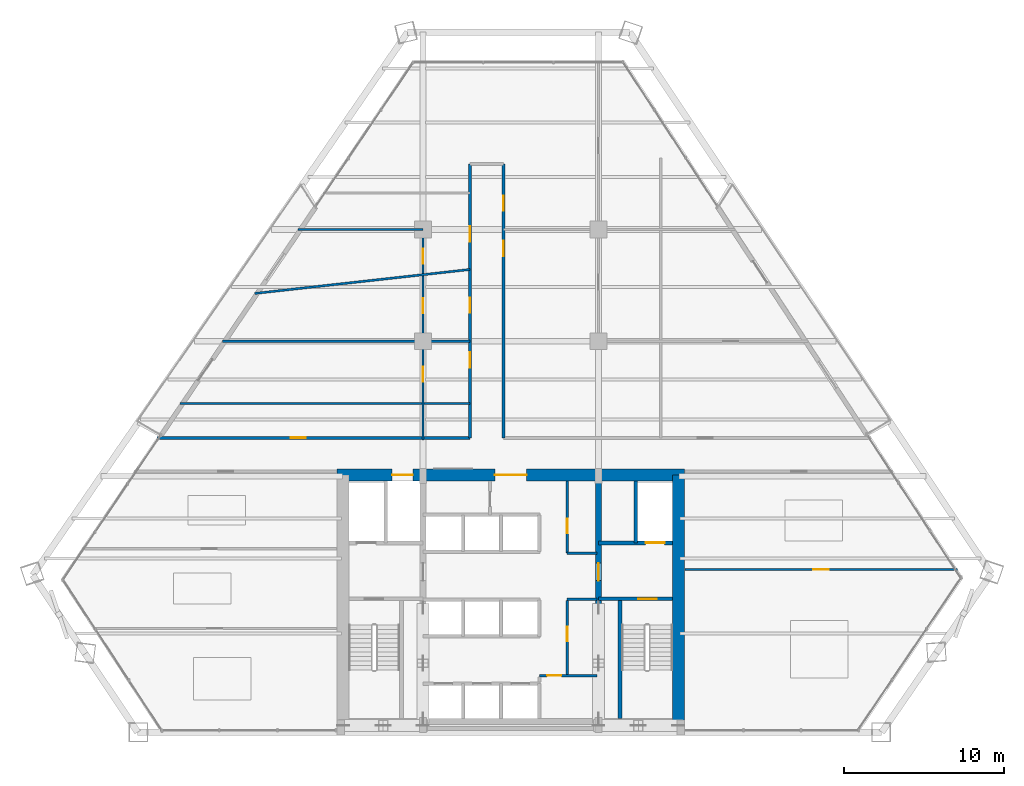
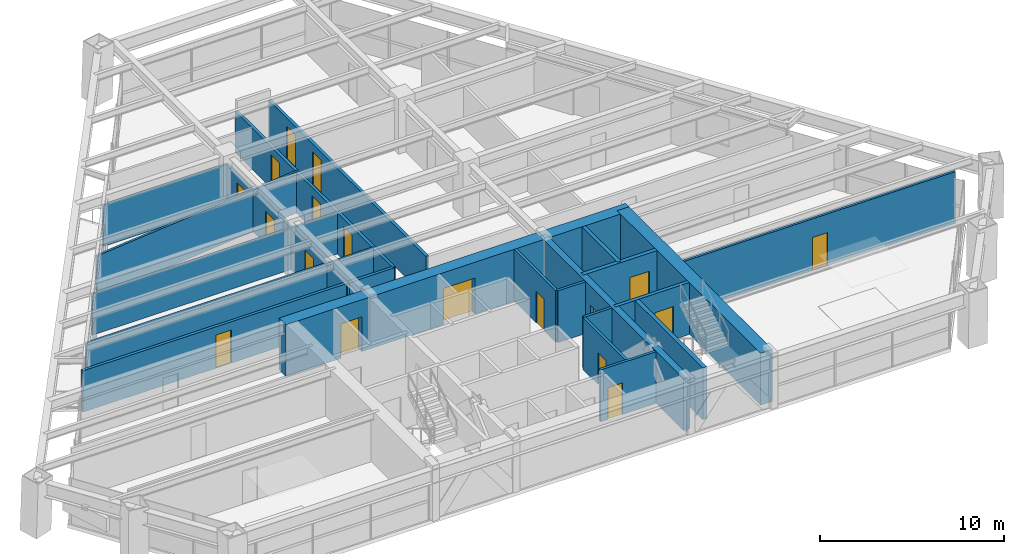
# One storey, part 11 of 14: 21 walls, 18 doors, 18 openings.
"""IFC4 building model written with IfcOpenShell, lengths in metres."""

from ifc_helpers import new_model, si_unit, direction, frame, frame_2d, origin, place, context, subcontext, project, spatial, rectangle, extrude, source, transform, mapped, material, layer, layer_set, type_object, type_shapes, element, fill, save


model = new_model("IFC4")

# Units and contexts
model_context = context("Model", 3, precision=1e-05, world=origin(), true_north=direction((0.0, 1.0)))
body_context = subcontext(model_context, "Body", "Model", "MODEL_VIEW")
ifc_project = project(units=[si_unit("LENGTHUNIT", "METRE"), si_unit("AREAUNIT", "SQUARE_METRE"), si_unit("VOLUMEUNIT", "CUBIC_METRE"), si_unit("PLANEANGLEUNIT", "RADIAN"), si_unit("MASSUNIT", "GRAM", prefix="KILO")], contexts=[model_context])

# Site, building, storey
site_placement = place(None, origin())
site = spatial("IfcSite", under=ifc_project, at=site_placement, CompositionType="ELEMENT")
building_placement = place(site_placement, origin())
building = spatial("IfcBuilding", under=site, at=building_placement, Name="Varnakhor Terracotta Tower", CompositionType="ELEMENT")
storey_placement = place(building_placement, frame((0.0, 0.0, 76.60009765625)))
storey = spatial("IfcBuildingStorey", under=building, at=storey_placement, Name="L18", CompositionType="ELEMENT", Elevation=76.60009765625)

# Wall, openings, doors
ifc_material_1 = material(Name="Concrete C60/75", Category="concrete")
ifc_layer_1 = layer(ifc_material_1, 0.75, Name="Concrete C60/75")
ifc_layer_set_1 = layer_set([ifc_layer_1], Name="Concrete C60/75")
wall_type_1 = type_object("IfcWallType", Name="WAL-CORE-750", PredefinedType="SHEAR", material=ifc_layer_set_1)
wall_1_placement = place(storey_placement, frame((-10.89990234375, 16.125, 0.0), z_axis=(0.0, 0.0, 1.0), x_axis=(1.0, 0.0, 0.0)))
wall_1 = element("IfcWall", 1, at=wall_1_placement, inside=storey, type_object=wall_type_1, Name="L18 North Core Shear Wall", PredefinedType="SHEAR", context=body_context, shape_type="SweptSolid", body=[
    extrude(rectangle(XDim=21.7998046875, YDim=0.75, at=frame_2d((10.89990234375, 0.0))), origin(), (0.0, 0.0, 1.0), 3.449951171875),
])
opening_1_placement = place(wall_1_placement, frame((3.469970703125, 0.0, 0.0)))
opening_1 = element("IfcOpeningElement", 2, at=opening_1_placement, cuts=wall_1, Name="Opening LD-03", PredefinedType="OPENING", context=body_context, shape_type="SweptSolid", body=[
    extrude(rectangle(XDim=1.300048828125, YDim=2.300048828125, at=frame_2d((0.64990234375, 1.14990234375))), frame((0.0, 0.385009765625, 0.0), z_axis=(0.0, -1.0, 0.0), x_axis=(1.0, 0.0, 0.0)), (0.0, 0.0, 1.0), 0.77001953125),
])
opening_2_placement = place(wall_1_placement, frame((9.89990234375, 0.0, 0.0)))
opening_2 = element("IfcOpeningElement", 3, at=opening_2_placement, cuts=wall_1, Name="Opening DR-32", PredefinedType="OPENING", context=body_context, shape_type="SweptSolid", body=[
    extrude(rectangle(XDim=2.0, YDim=2.39990234375, at=frame_2d((1.0, 1.199951171875))), frame((0.0, 0.385009765625, 0.0), z_axis=(0.0, -1.0, 0.0), x_axis=(1.0, 0.0, 0.0)), (0.0, 0.0, 1.0), 0.77001953125),
])
ifc_material_2 = material(Name="Heavy-Duty Goods Sliding Lift Landing Door", Category="steel")
door_type_1 = type_object("IfcDoorType", Name="LD-SRV-1300X2300", OperationType="NOTDEFINED", PredefinedType="DOOR", material=ifc_material_2)
shared_shape_1 = source(origin(), body_context, "Body", "SweptSolid", [
    extrude(rectangle(XDim=1.300048828125, YDim=2.300048828125, at=frame_2d((0.64990234375, 1.14990234375))), frame((0.0, 0.02490234375, 0.0), z_axis=(0.0, -1.0, 0.0), x_axis=(1.0, 0.0, 0.0)), (0.0, 0.0, 1.0), 0.050048828125),
])
type_shapes(door_type_1, [shared_shape_1])
door_1_placement = place(opening_1_placement, origin())
door_1 = element("IfcDoor", 4, at=door_1_placement, inside=storey, type_object=door_type_1, Name="L18 Service Lift SVL-1 Landing Door", OperationType="SLIDING_TO_RIGHT", OverallHeight=2.300048828125, OverallWidth=1.300048828125, PredefinedType="DOOR", context=body_context, shape_type="MappedRepresentation", body=[
    mapped(shared_shape_1, transform((0.0, 0.0, 0.0), scale=1.0)),
])
fill(opening_1, door_1)
ifc_material_3 = material(Name="Acoustic Double Assembly Fire Door", Category="wood")
door_type_2 = type_object("IfcDoorType", Name="DR-HALL-2000X2400", OperationType="NOTDEFINED", PredefinedType="DOOR", material=ifc_material_3)
shared_shape_2 = source(origin(), body_context, "Body", "SweptSolid", [
    extrude(rectangle(XDim=2.0, YDim=2.39990234375, at=frame_2d((1.0, 1.199951171875))), frame((0.0, 0.02490234375, 0.0), z_axis=(0.0, -1.0, 0.0), x_axis=(1.0, 0.0, 0.0)), (0.0, 0.0, 1.0), 0.050048828125),
])
type_shapes(door_type_2, [shared_shape_2])
door_2_placement = place(opening_2_placement, origin())
door_2 = element("IfcDoor", 5, at=door_2_placement, inside=storey, type_object=door_type_2, Name="L18 Core Main Lobby Double Door", OperationType="DOUBLE_DOOR_SINGLE_SWING", OverallHeight=2.39990234375, OverallWidth=2.0, PredefinedType="DOOR", context=body_context, shape_type="MappedRepresentation", body=[
    mapped(shared_shape_2, transform((0.0, 0.0, 0.0), scale=1.0)),
])
fill(opening_2, door_2)

# Wall
wall_2_placement = place(storey_placement, frame((10.52490234375, 0.47509765625, 0.0), z_axis=(0.0, 0.0, 1.0), x_axis=(0.0, 1.0, 0.0)))
element("IfcWall", 6, at=wall_2_placement, inside=storey, type_object=wall_type_1, Name="L18 East Core Shear Wall", PredefinedType="SHEAR", context=body_context, shape_type="SweptSolid", body=[
    extrude(rectangle(XDim=15.64990234375, YDim=0.75, at=frame_2d((7.824951171875, 0.0))), origin(), (0.0, 0.0, 1.0), 3.449951171875),
])

# Wall, opening, door
ifc_material_4 = material(Name="Concrete C50/60", Category="concrete")
ifc_layer_2 = layer(ifc_material_4, 0.39990234375, Name="Concrete C50/60")
ifc_layer_set_2 = layer_set([ifc_layer_2], Name="Concrete C50/60")
wall_type_2 = type_object("IfcWallType", Name="WAL-CORE-WEB-400", PredefinedType="SHEAR", material=ifc_layer_set_2)
wall_3_placement = place(storey_placement, frame((5.5, 0.47509765625, 0.0), z_axis=(0.0, 0.0, 1.0), x_axis=(0.0, 1.0, 0.0)))
wall_3 = element("IfcWall", 7, at=wall_3_placement, inside=storey, type_object=wall_type_2, Name="L18 East Core Web Shear Wall", PredefinedType="SHEAR", context=body_context, shape_type="SweptSolid", body=[
    extrude(rectangle(XDim=15.64990234375, YDim=0.39990234375, at=frame_2d((7.824951171875, 0.0))), origin(), (0.0, 0.0, 1.0), 3.449951171875),
])
opening_3_placement = place(wall_3_placement, frame((9.02490234375, 0.0, 0.0)))
opening_3 = element("IfcOpeningElement", 8, at=opening_3_placement, cuts=wall_3, Name="Opening DR-25", PredefinedType="OPENING", context=body_context, shape_type="SweptSolid", body=[
    extrude(rectangle(XDim=1.10009765625, YDim=2.199951171875, at=frame_2d((0.550048828125, 1.10009765625))), frame((0.0, 0.2099609375, 0.0), z_axis=(0.0, -1.0, 0.0), x_axis=(1.0, 0.0, 0.0)), (0.0, 0.0, 1.0), 0.419921875),
])
ifc_material_5 = material(Name="Firefighting Lobby Self-Closing Fire Door", Category="steel")
door_type_3 = type_object("IfcDoorType", Name="DR-FFL-1100X2200", OperationType="NOTDEFINED", PredefinedType="DOOR", material=ifc_material_5)
shared_shape_3 = source(origin(), body_context, "Body", "SweptSolid", [
    extrude(rectangle(XDim=1.10009765625, YDim=2.199951171875, at=frame_2d((0.550048828125, 1.10009765625))), frame((0.0, 0.02490234375, 0.0), z_axis=(0.0, -1.0, 0.0), x_axis=(1.0, 0.0, 0.0)), (0.0, 0.0, 1.0), 0.050048828125),
])
type_shapes(door_type_3, [shared_shape_3])
door_3_placement = place(opening_3_placement, origin())
door_3 = element("IfcDoor", 9, at=door_3_placement, inside=storey, type_object=door_type_3, Name="L18 East Firefighting Lobby Door", OperationType="SINGLE_SWING_RIGHT", OverallHeight=2.199951171875, OverallWidth=1.10009765625, PredefinedType="DOOR", context=body_context, shape_type="MappedRepresentation", body=[
    mapped(shared_shape_3, transform((0.0, 0.0, 0.0), scale=1.0)),
])
fill(opening_3, door_3)

ifc_material_6 = material(Name="Fire-Rated Gypsum Stud Partition", Category="gypsum")
ifc_layer_3 = layer(ifc_material_6, 0.18505859375, Name="Fire-Rated Gypsum Stud Partition")
ifc_layer_set_3 = layer_set([ifc_layer_3], Name="Fire-Rated Gypsum Stud Partition")
wall_type_3 = type_object("IfcWallType", Name="WAL-CORR-185", PredefinedType="PARTITIONING", material=ifc_layer_set_3)
wall_4_placement = place(storey_placement, frame((-22.173095703125, 18.449951171875, 0.0), z_axis=(0.0, 0.0, 1.0), x_axis=(1.0, 0.0, 0.0)))
wall_4 = element("IfcWall", 10, at=wall_4_placement, inside=storey, type_object=wall_type_3, Name="L18 Corridor North West Wall", PredefinedType="PARTITIONING", context=body_context, shape_type="SweptSolid", body=[
    extrude(rectangle(XDim=19.623046875, YDim=0.18505859375, at=frame_2d((9.8115234375, 0.0))), origin(), (0.0, 0.0, 1.0), 2.746826171875),
])
opening_4_placement = place(wall_4_placement, frame((8.389404296875, 0.0, 0.0)))
opening_4 = element("IfcOpeningElement", 11, at=opening_4_placement, cuts=wall_4, Name="Opening DR-94", PredefinedType="OPENING", context=body_context, shape_type="SweptSolid", body=[
    extrude(rectangle(XDim=0.949951171875, YDim=2.199951171875, at=frame_2d((0.47509765625, 1.10009765625))), frame((0.0, 0.1025390625, 0.0), z_axis=(0.0, -1.0, 0.0), x_axis=(1.0, 0.0, 0.0)), (0.0, 0.0, 1.0), 0.205078125),
])
ifc_material_7 = material(Name="Acoustic Glazed-Vision Timber Office Door", Category="wood")
door_type_4 = type_object("IfcDoorType", Name="DR-OFF-950X2200", OperationType="NOTDEFINED", PredefinedType="DOOR", material=ifc_material_7)
shared_shape_4 = source(origin(), body_context, "Body", "SweptSolid", [
    extrude(rectangle(XDim=0.949951171875, YDim=2.199951171875, at=frame_2d((0.47509765625, 1.10009765625))), frame((0.0, 0.02490234375, 0.0), z_axis=(0.0, -1.0, 0.0), x_axis=(1.0, 0.0, 0.0)), (0.0, 0.0, 1.0), 0.050048828125),
])
type_shapes(door_type_4, [shared_shape_4])
door_4_placement = place(opening_4_placement, origin())
door_4 = element("IfcDoor", 12, at=door_4_placement, inside=storey, type_object=door_type_4, Name="L18 West Workplace Door", OperationType="SINGLE_SWING_LEFT", OverallHeight=2.199951171875, OverallWidth=0.949951171875, PredefinedType="DOOR", context=body_context, shape_type="MappedRepresentation", body=[
    mapped(shared_shape_4, transform((0.0, 0.0, 0.0), scale=1.0)),
])
fill(opening_4, door_4)

# Wall, openings, doors
wall_5_placement = place(storey_placement, frame((-2.550048828125, 18.449951171875, 0.0), z_axis=(0.0, 0.0, 1.0), x_axis=(0.0, 1.0, 0.0)))
wall_5 = element("IfcWall", 13, at=wall_5_placement, inside=storey, type_object=wall_type_3, Name="L18 Spine West Wall", PredefinedType="PARTITIONING", context=body_context, shape_type="SweptSolid", body=[
    extrude(rectangle(XDim=17.150146484375, YDim=0.18505859375, at=frame_2d((8.5751953125, 0.0))), origin(), (0.0, 0.0, 1.0), 2.746826171875),
])
opening_5_placement = place(wall_5_placement, frame((4.3974609375, 0.0, 0.0)))
opening_5 = element("IfcOpeningElement", 14, at=opening_5_placement, cuts=wall_5, Name="Opening DR-94", PredefinedType="OPENING", context=body_context, shape_type="SweptSolid", body=[
    extrude(rectangle(XDim=0.949951171875, YDim=2.199951171875, at=frame_2d((0.47509765625, 1.10009765625))), frame((0.0, 0.1025390625, 0.0), z_axis=(0.0, -1.0, 0.0), x_axis=(1.0, 0.0, 0.0)), (0.0, 0.0, 1.0), 0.205078125),
])
opening_6_placement = place(wall_5_placement, frame((7.830322265625, 0.0, 0.0)))
opening_6 = element("IfcOpeningElement", 15, at=opening_6_placement, cuts=wall_5, Name="Opening DR-94", PredefinedType="OPENING", context=body_context, shape_type="SweptSolid", body=[
    extrude(rectangle(XDim=0.949951171875, YDim=2.199951171875, at=frame_2d((0.47509765625, 1.10009765625))), frame((0.0, 0.1025390625, 0.0), z_axis=(0.0, -1.0, 0.0), x_axis=(1.0, 0.0, 0.0)), (0.0, 0.0, 1.0), 0.205078125),
])
opening_7_placement = place(wall_5_placement, frame((12.29638671875, 0.0, 0.0)))
opening_7 = element("IfcOpeningElement", 16, at=opening_7_placement, cuts=wall_5, Name="Opening DR-94", PredefinedType="OPENING", context=body_context, shape_type="SweptSolid", body=[
    extrude(rectangle(XDim=0.949951171875, YDim=2.199951171875, at=frame_2d((0.47509765625, 1.10009765625))), frame((0.0, 0.1025390625, 0.0), z_axis=(0.0, -1.0, 0.0), x_axis=(1.0, 0.0, 0.0)), (0.0, 0.0, 1.0), 0.205078125),
])
door_5_placement = place(opening_5_placement, origin())
door_5 = element("IfcDoor", 17, at=door_5_placement, inside=storey, type_object=door_type_4, Name="L18 Spine West Door", OperationType="SINGLE_SWING_LEFT", OverallHeight=2.199951171875, OverallWidth=0.949951171875, PredefinedType="DOOR", context=body_context, shape_type="MappedRepresentation", body=[
    mapped(shared_shape_4, transform((0.0, 0.0, 0.0), scale=1.0)),
])
fill(opening_5, door_5)
door_6_placement = place(opening_6_placement, origin())
door_6 = element("IfcDoor", 18, at=door_6_placement, inside=storey, type_object=door_type_4, Name="L18 Meeting Room North B13 Door", OperationType="SINGLE_SWING_RIGHT", OverallHeight=2.199951171875, OverallWidth=0.949951171875, PredefinedType="DOOR", context=body_context, shape_type="MappedRepresentation", body=[
    mapped(shared_shape_4, transform((0.0, 0.0, 0.0), scale=1.0)),
])
fill(opening_6, door_6)
door_7_placement = place(opening_7_placement, origin())
door_7 = element("IfcDoor", 19, at=door_7_placement, inside=storey, type_object=door_type_4, Name="L18 Cellular Office 1 B17 Door", OperationType="SINGLE_SWING_LEFT", OverallHeight=2.199951171875, OverallWidth=0.949951171875, PredefinedType="DOOR", context=body_context, shape_type="MappedRepresentation", body=[
    mapped(shared_shape_4, transform((0.0, 0.0, 0.0), scale=1.0)),
])
fill(opening_7, door_7)

wall_6_placement = place(storey_placement, frame((-0.449951171875, 18.449951171875, 0.0), z_axis=(0.0, 0.0, 1.0), x_axis=(0.0, 1.0, 0.0)))
wall_6 = element("IfcWall", 20, at=wall_6_placement, inside=storey, type_object=wall_type_3, Name="L18 Spine East Wall", PredefinedType="PARTITIONING", context=body_context, shape_type="SweptSolid", body=[
    extrude(rectangle(XDim=17.150146484375, YDim=0.18505859375, at=frame_2d((8.5751953125, 0.0))), origin(), (0.0, 0.0, 1.0), 2.746826171875),
])
opening_8_placement = place(wall_6_placement, frame((11.39404296875, 0.0, 0.0)))
opening_8 = element("IfcOpeningElement", 21, at=opening_8_placement, cuts=wall_6, Name="Opening DR-94", PredefinedType="OPENING", context=body_context, shape_type="SweptSolid", body=[
    extrude(rectangle(XDim=0.949951171875, YDim=2.199951171875, at=frame_2d((0.47509765625, 1.10009765625))), frame((0.0, 0.1025390625, 0.0), z_axis=(0.0, -1.0, 0.0), x_axis=(1.0, 0.0, 0.0)), (0.0, 0.0, 1.0), 0.205078125),
])
opening_9_placement = place(wall_6_placement, frame((14.21435546875, 0.0, 0.0)))
opening_9 = element("IfcOpeningElement", 22, at=opening_9_placement, cuts=wall_6, Name="Opening DR-94", PredefinedType="OPENING", context=body_context, shape_type="SweptSolid", body=[
    extrude(rectangle(XDim=0.949951171875, YDim=2.199951171875, at=frame_2d((0.47509765625, 1.10009765625))), frame((0.0, 0.1025390625, 0.0), z_axis=(0.0, -1.0, 0.0), x_axis=(1.0, 0.0, 0.0)), (0.0, 0.0, 1.0), 0.205078125),
])
door_8_placement = place(opening_8_placement, origin())
door_8 = element("IfcDoor", 23, at=door_8_placement, inside=storey, type_object=door_type_4, Name="L18 Spine East Door", OperationType="SINGLE_SWING_RIGHT", OverallHeight=2.199951171875, OverallWidth=0.949951171875, PredefinedType="DOOR", context=body_context, shape_type="MappedRepresentation", body=[
    mapped(shared_shape_4, transform((0.0, 0.0, 0.0), scale=1.0)),
])
fill(opening_8, door_8)
door_9_placement = place(opening_9_placement, origin())
door_9 = element("IfcDoor", 24, at=door_9_placement, inside=storey, type_object=door_type_4, Name="L18 Cellular Office 2 Door", OperationType="SINGLE_SWING_RIGHT", OverallHeight=2.199951171875, OverallWidth=0.949951171875, PredefinedType="DOOR", context=body_context, shape_type="MappedRepresentation", body=[
    mapped(shared_shape_4, transform((0.0, 0.0, 0.0), scale=1.0)),
])
fill(opening_9, door_9)

# Wall, opening, door
ifc_material_8 = material(Name="Concrete C40/50", Category="concrete")
ifc_layer_4 = layer(ifc_material_8, 0.219970703125, Name="Concrete C40/50")
ifc_layer_set_4 = layer_set([ifc_layer_4], Name="Concrete C40/50")
wall_type_4 = type_object("IfcWallType", Name="WAL-FFLOBBY-220", PredefinedType="SOLIDWALL", material=ifc_layer_set_4)
wall_7_placement = place(storey_placement, frame((10.14990234375, 8.35009765625, 0.0), z_axis=(0.0, 0.0, 1.0), x_axis=(-1.0, 0.0, 0.0)))
wall_7 = element("IfcWall", 25, at=wall_7_placement, inside=storey, type_object=wall_type_4, Name="L18 East Firefighting Lobby Stair Wall", PredefinedType="SOLIDWALL", context=body_context, shape_type="SweptSolid", body=[
    extrude(rectangle(XDim=4.64990234375, YDim=0.219970703125, at=frame_2d((2.324951171875, 0.0))), origin(), (0.0, 0.0, 1.0), 3.449951171875),
])
opening_10_placement = place(wall_7_placement, frame((1.0, 0.0, 0.0)))
opening_10 = element("IfcOpeningElement", 26, at=opening_10_placement, cuts=wall_7, Name="Opening DR-34", PredefinedType="OPENING", context=body_context, shape_type="SweptSolid", body=[
    extrude(rectangle(XDim=1.14990234375, YDim=2.199951171875, at=frame_2d((0.574951171875, 1.10009765625))), frame((0.0, 0.1201171875, 0.0), z_axis=(0.0, -1.0, 0.0), x_axis=(1.0, 0.0, 0.0)), (0.0, 0.0, 1.0), 0.239990234375),
])
ifc_material_9 = material(Name="Self-Closing Smoke-Sealed Steel Fire Door", Category="steel")
door_type_5 = type_object("IfcDoorType", Name="DR-STAIR-1150X2200", OperationType="NOTDEFINED", PredefinedType="DOOR", material=ifc_material_9)
shared_shape_5 = source(origin(), body_context, "Body", "SweptSolid", [
    extrude(rectangle(XDim=1.14990234375, YDim=2.199951171875, at=frame_2d((0.574951171875, 1.10009765625))), frame((0.0, 0.02490234375, 0.0), z_axis=(0.0, -1.0, 0.0), x_axis=(1.0, 0.0, 0.0)), (0.0, 0.0, 1.0), 0.050048828125),
])
type_shapes(door_type_5, [shared_shape_5])
door_10_placement = place(opening_10_placement, origin())
door_10 = element("IfcDoor", 27, at=door_10_placement, inside=storey, type_object=door_type_5, Name="L18 Exit Stair ST-2 Fire Door", OperationType="SINGLE_SWING_LEFT", OverallHeight=2.199951171875, OverallWidth=1.14990234375, PredefinedType="DOOR", context=body_context, shape_type="MappedRepresentation", body=[
    mapped(shared_shape_5, transform((0.0, 0.0, 0.0), scale=1.0)),
])
fill(opening_10, door_10)

# Wall, openings, doors
ifc_material_10 = material(Name="Acoustic Metal-Stud Partition", Category="gypsum")
ifc_layer_5 = layer(ifc_material_10, 0.139892578125, Name="Acoustic Metal-Stud Partition")
ifc_layer_set_5 = layer_set([ifc_layer_5], Name="Acoustic Metal-Stud Partition")
wall_type_5 = type_object("IfcWallType", Name="WAL-PART-140", PredefinedType="PARTITIONING", material=ifc_layer_set_5)
wall_8_placement = place(storey_placement, frame((-5.5, 18.300048828125, 0.0), z_axis=(0.0, 0.0, 1.0), x_axis=(0.0, 1.0, 0.0)))
wall_8 = element("IfcWall", 28, at=wall_8_placement, inside=storey, type_object=wall_type_5, Name="L18 West Column Line Wall", PredefinedType="PARTITIONING", context=body_context, shape_type="SweptSolid", body=[
    extrude(rectangle(XDim=13.199951171875, YDim=0.139892578125, at=frame_2d((6.60009765625, 0.0))), origin(), (0.0, 0.0, 1.0), 2.746826171875),
])
opening_11_placement = place(wall_8_placement, frame((3.66650390625, 0.0, 0.0)))
opening_11 = element("IfcOpeningElement", 29, at=opening_11_placement, cuts=wall_8, Name="Opening DR-94", PredefinedType="OPENING", context=body_context, shape_type="SweptSolid", body=[
    extrude(rectangle(XDim=0.949951171875, YDim=2.199951171875, at=frame_2d((0.47509765625, 1.10009765625))), frame((0.0, 0.080078125, 0.0), z_axis=(0.0, -1.0, 0.0), x_axis=(1.0, 0.0, 0.0)), (0.0, 0.0, 1.0), 0.159912109375),
])
opening_12_placement = place(wall_8_placement, frame((7.94921875, 0.0, 0.0)))
opening_12 = element("IfcOpeningElement", 30, at=opening_12_placement, cuts=wall_8, Name="Opening DR-94", PredefinedType="OPENING", context=body_context, shape_type="SweptSolid", body=[
    extrude(rectangle(XDim=0.949951171875, YDim=2.199951171875, at=frame_2d((0.47509765625, 1.10009765625))), frame((0.0, 0.080078125, 0.0), z_axis=(0.0, -1.0, 0.0), x_axis=(1.0, 0.0, 0.0)), (0.0, 0.0, 1.0), 0.159912109375),
])
opening_13_placement = place(wall_8_placement, frame((11.055419921875, 0.0, 0.0)))
opening_13 = element("IfcOpeningElement", 31, at=opening_13_placement, cuts=wall_8, Name="Opening DR-94", PredefinedType="OPENING", context=body_context, shape_type="SweptSolid", body=[
    extrude(rectangle(XDim=0.949951171875, YDim=2.199951171875, at=frame_2d((0.47509765625, 1.10009765625))), frame((0.0, 0.080078125, 0.0), z_axis=(0.0, -1.0, 0.0), x_axis=(1.0, 0.0, 0.0)), (0.0, 0.0, 1.0), 0.159912109375),
])
door_11_placement = place(opening_11_placement, origin())
door_11 = element("IfcDoor", 32, at=door_11_placement, inside=storey, type_object=door_type_4, Name="L18 Cellular Office 1 B9 Door", OperationType="SINGLE_SWING_LEFT", OverallHeight=2.199951171875, OverallWidth=0.949951171875, PredefinedType="DOOR", context=body_context, shape_type="MappedRepresentation", body=[
    mapped(shared_shape_4, transform((0.0, 0.0, 0.0), scale=1.0)),
])
fill(opening_11, door_11)
door_12_placement = place(opening_12_placement, origin())
door_12 = element("IfcDoor", 33, at=door_12_placement, inside=storey, type_object=door_type_4, Name="L18 Cellular Office 3 Door", OperationType="SINGLE_SWING_RIGHT", OverallHeight=2.199951171875, OverallWidth=0.949951171875, PredefinedType="DOOR", context=body_context, shape_type="MappedRepresentation", body=[
    mapped(shared_shape_4, transform((0.0, 0.0, 0.0), scale=1.0)),
])
fill(opening_12, door_12)
door_13_placement = place(opening_13_placement, origin())
door_13 = element("IfcDoor", 34, at=door_13_placement, inside=storey, type_object=door_type_4, Name="L18 Meeting Room North Door", OperationType="SINGLE_SWING_LEFT", OverallHeight=2.199951171875, OverallWidth=0.949951171875, PredefinedType="DOOR", context=body_context, shape_type="MappedRepresentation", body=[
    mapped(shared_shape_4, transform((0.0, 0.0, 0.0), scale=1.0)),
])
fill(opening_13, door_13)

# Walls
wall_9_placement = place(storey_placement, frame((-13.33203125, 31.5, 0.0), z_axis=(0.0, 0.0, 1.0), x_axis=(1.0, 0.0, 0.0)))
element("IfcWall", 35, at=wall_9_placement, inside=storey, type_object=wall_type_5, Name="L18 North West Column Wall", PredefinedType="PARTITIONING", context=body_context, shape_type="SweptSolid", body=[
    extrude(rectangle(XDim=7.83203125, YDim=0.139892578125, at=frame_2d((3.916015625, 0.0))), origin(), (0.0, 0.0, 1.0), 2.746826171875),
])
wall_10_placement = place(storey_placement, frame((-20.71630859375, 20.60009765625, 0.0), z_axis=(0.0, 0.0, 1.0), x_axis=(1.0, 0.0, 0.0)))
element("IfcWall", 36, at=wall_10_placement, inside=storey, type_object=wall_type_5, Name="L18 West Wing Cut 1", PredefinedType="PARTITIONING", context=body_context, shape_type="SweptSolid", body=[
    extrude(rectangle(XDim=18.166259765625, YDim=0.139892578125, at=frame_2d((9.0830078125, 0.0))), origin(), (0.0, 0.0, 1.0), 2.746826171875),
])
wall_11_placement = place(storey_placement, frame((-18.07421875, 24.5, 0.0), z_axis=(0.0, 0.0, 1.0), x_axis=(1.0, 0.0, 0.0)))
element("IfcWall", 37, at=wall_11_placement, inside=storey, type_object=wall_type_5, Name="L18 West Wing Cut 2", PredefinedType="PARTITIONING", context=body_context, shape_type="SweptSolid", body=[
    extrude(rectangle(XDim=15.524169921875, YDim=0.139892578125, at=frame_2d((7.76220703125, 0.0))), origin(), (0.0, 0.0, 1.0), 2.746826171875),
])
wall_12_placement = place(storey_placement, frame((-16.04296875, 27.498291015625, 0.0), z_axis=(0.0, 0.0, 1.0), x_axis=(0.993863542096, 0.110613108137, 0.0)))
element("IfcWall", 38, at=wall_12_placement, inside=storey, type_object=wall_type_5, Name="L18 West Wing Cut 3", PredefinedType="PARTITIONING", context=body_context, shape_type="SweptSolid", body=[
    extrude(rectangle(XDim=13.576171875, YDim=0.139892578125, at=frame_2d((6.7880859375, 0.0))), origin(), (0.0, 0.0, 1.0), 2.746826171875),
])

# Wall, opening, door
wall_13_placement = place(storey_placement, frame((10.919921875, 10.199951171875, 0.0), z_axis=(0.0, 0.0, 1.0), x_axis=(1.0, 0.0, 0.0)))
wall_13 = element("IfcWall", 39, at=wall_13_placement, inside=storey, type_object=wall_type_5, Name="L18 South East Cut 1", PredefinedType="PARTITIONING", context=body_context, shape_type="SweptSolid", body=[
    extrude(rectangle(XDim=17.072509765625, YDim=0.139892578125, at=frame_2d((8.5361328125, 0.0))), origin(), (0.0, 0.0, 1.0), 3.44189453125),
])
opening_14_placement = place(wall_13_placement, frame((8.05126953125, 0.0, 0.0)))
opening_14 = element("IfcOpeningElement", 40, at=opening_14_placement, cuts=wall_13, Name="Opening DR-94", PredefinedType="OPENING", context=body_context, shape_type="SweptSolid", body=[
    extrude(rectangle(XDim=0.949951171875, YDim=2.199951171875, at=frame_2d((0.47509765625, 1.10009765625))), frame((0.0, 0.080078125, 0.0), z_axis=(0.0, -1.0, 0.0), x_axis=(1.0, 0.0, 0.0)), (0.0, 0.0, 1.0), 0.159912109375),
])
door_14_placement = place(opening_14_placement, origin())
door_14 = element("IfcDoor", 41, at=door_14_placement, inside=storey, type_object=door_type_4, Name="L18 South East Conference Room Door", OperationType="SINGLE_SWING_LEFT", OverallHeight=2.199951171875, OverallWidth=0.949951171875, PredefinedType="DOOR", context=body_context, shape_type="MappedRepresentation", body=[
    mapped(shared_shape_4, transform((0.0, 0.0, 0.0), scale=1.0)),
])
fill(opening_14, door_14)

# Walls
ifc_layer_6 = layer(ifc_material_8, 0.219970703125, Name="Concrete C40/50")
ifc_layer_set_6 = layer_set([ifc_layer_6], Name="Concrete C40/50")
wall_type_6 = type_object("IfcWallType", Name="WAL-SHAFT-220", PredefinedType="SOLIDWALL", material=ifc_layer_set_6)
wall_14_placement = place(storey_placement, frame((7.840087890625, 11.8701171875, 0.0), z_axis=(0.0, 0.0, 1.0), x_axis=(0.0, 1.0, 0.0)))
element("IfcWall", 42, at=wall_14_placement, inside=storey, type_object=wall_type_6, Name="L18 Lift FFL-2 and Riser Divider Wall", PredefinedType="SOLIDWALL", context=body_context, shape_type="SweptSolid", body=[
    extrude(rectangle(XDim=3.8798828125, YDim=0.219970703125, at=frame_2d((1.93994140625, 0.0))), origin(), (0.0, 0.0, 1.0), 3.449951171875),
])
ifc_layer_7 = layer(ifc_material_8, 0.25, Name="Concrete C40/50")
ifc_layer_set_7 = layer_set([ifc_layer_7], Name="Concrete C40/50")
wall_type_7 = type_object("IfcWallType", Name="WAL-SHAFT-250", PredefinedType="SOLIDWALL", material=ifc_layer_set_7)
wall_15_placement = place(storey_placement, frame((6.85009765625, 0.85009765625, 0.0), z_axis=(0.0, 0.0, 1.0), x_axis=(0.0, 1.0, 0.0)))
element("IfcWall", 43, at=wall_15_placement, inside=storey, type_object=wall_type_7, Name="L18 Stair ST-2 Bearing Shaft Wall", PredefinedType="SOLIDWALL", context=body_context, shape_type="SweptSolid", body=[
    extrude(rectangle(XDim=7.5, YDim=0.25, at=frame_2d((3.75, 0.0))), origin(), (0.0, 0.0, 1.0), 3.449951171875),
])

# Wall, opening, door
wall_16_placement = place(storey_placement, frame((10.14990234375, 11.8701171875, 0.0), z_axis=(0.0, 0.0, 1.0), x_axis=(-1.0, 0.0, 0.0)))
wall_16 = element("IfcWall", 44, at=wall_16_placement, inside=storey, type_object=wall_type_7, Name="L18 Lift FFL-2 Shaft Front Wall", PredefinedType="SOLIDWALL", context=body_context, shape_type="SweptSolid", body=[
    extrude(rectangle(XDim=4.64990234375, YDim=0.25, at=frame_2d((2.324951171875, 0.0))), origin(), (0.0, 0.0, 1.0), 3.449951171875),
])
opening_15_placement = place(wall_16_placement, frame((0.5, 0.0, 0.0)))
opening_15 = element("IfcOpeningElement", 45, at=opening_15_placement, cuts=wall_16, Name="Opening LD-02", PredefinedType="OPENING", context=body_context, shape_type="SweptSolid", body=[
    extrude(rectangle(XDim=1.199951171875, YDim=2.25, at=frame_2d((0.60009765625, 1.125))), frame((0.0, 0.135009765625, 0.0), z_axis=(0.0, -1.0, 0.0), x_axis=(1.0, 0.0, 0.0)), (0.0, 0.0, 1.0), 0.27001953125),
])
ifc_material_11 = material(Name="Firefighting Stretcher Sliding Lift Landing Door", Category="steel")
door_type_6 = type_object("IfcDoorType", Name="LD-FFL-1200X2250", OperationType="NOTDEFINED", PredefinedType="DOOR", material=ifc_material_11)
shared_shape_6 = source(origin(), body_context, "Body", "SweptSolid", [
    extrude(rectangle(XDim=1.199951171875, YDim=2.25, at=frame_2d((0.60009765625, 1.125))), frame((0.0, 0.02490234375, 0.0), z_axis=(0.0, -1.0, 0.0), x_axis=(1.0, 0.0, 0.0)), (0.0, 0.0, 1.0), 0.050048828125),
])
type_shapes(door_type_6, [shared_shape_6])
door_15_placement = place(opening_15_placement, origin())
door_15 = element("IfcDoor", 46, at=door_15_placement, inside=storey, type_object=door_type_6, Name="L18 Firefighting Lift FFL-2 Landing Door", OperationType="SLIDING_TO_RIGHT", OverallHeight=2.25, OverallWidth=1.199951171875, PredefinedType="DOOR", context=body_context, shape_type="MappedRepresentation", body=[
    mapped(shared_shape_6, transform((0.0, 0.0, 0.0), scale=1.0)),
])
fill(opening_15, door_15)

ifc_material_12 = material(Name="Acoustic Fire-Rated Partition", Category="gypsum")
ifc_layer_8 = layer(ifc_material_12, 0.1650390625, Name="Acoustic Fire-Rated Partition")
ifc_layer_set_8 = layer_set([ifc_layer_8], Name="Acoustic Fire-Rated Partition")
wall_type_8 = type_object("IfcWallType", Name="WAL-TENANCY-165", PredefinedType="PARTITIONING", material=ifc_layer_set_8)
wall_17_placement = place(storey_placement, frame((3.5400390625, 3.632568359375, 0.0), z_axis=(0.0, 0.0, 1.0), x_axis=(0.0, 1.0, 0.0)))
wall_17 = element("IfcWall", 47, at=wall_17_placement, inside=storey, type_object=wall_type_8, Name="L18 Core Service Rated Wall", PredefinedType="PARTITIONING", context=body_context, shape_type="SweptSolid", body=[
    extrude(rectangle(XDim=4.625, YDim=0.1650390625, at=frame_2d((2.3125, 0.0))), origin(), (0.0, 0.0, 1.0), 3.44189453125),
])
opening_16_placement = place(wall_17_placement, frame((2.081298828125, 0.0, 0.0)))
opening_16 = element("IfcOpeningElement", 48, at=opening_16_placement, cuts=wall_17, Name="Opening DR-67", PredefinedType="OPENING", context=body_context, shape_type="SweptSolid", body=[
    extrude(rectangle(XDim=0.89990234375, YDim=2.10009765625, at=frame_2d((0.449951171875, 1.050048828125))), frame((0.0, 0.092529296875, 0.0), z_axis=(0.0, -1.0, 0.0), x_axis=(1.0, 0.0, 0.0)), (0.0, 0.0, 1.0), 0.18505859375),
])
ifc_material_13 = material(Name="Steel Service Riser Fire Door", Category="steel")
door_type_7 = type_object("IfcDoorType", Name="DR-RISER-900X2100", OperationType="NOTDEFINED", PredefinedType="DOOR", material=ifc_material_13)
shared_shape_7 = source(origin(), body_context, "Body", "SweptSolid", [
    extrude(rectangle(XDim=0.89990234375, YDim=2.10009765625, at=frame_2d((0.449951171875, 1.050048828125))), frame((0.0, 0.02490234375, 0.0), z_axis=(0.0, -1.0, 0.0), x_axis=(1.0, 0.0, 0.0)), (0.0, 0.0, 1.0), 0.050048828125),
])
type_shapes(door_type_7, [shared_shape_7])
door_16_placement = place(opening_16_placement, origin())
door_16 = element("IfcDoor", 49, at=door_16_placement, inside=storey, type_object=door_type_7, Name="L18 Core Accessible WC Door", OperationType="SINGLE_SWING_RIGHT", OverallHeight=2.10009765625, OverallWidth=0.89990234375, PredefinedType="DOOR", context=body_context, shape_type="MappedRepresentation", body=[
    mapped(shared_shape_7, transform((0.0, 0.0, 0.0), scale=1.0)),
])
fill(opening_16, door_16)

# Wall
wall_18_placement = place(storey_placement, frame((3.5400390625, 8.340087890625, 0.0), z_axis=(0.0, 0.0, 1.0), x_axis=(1.0, 0.0, 0.0)))
element("IfcWall", 50, at=wall_18_placement, inside=storey, type_object=wall_type_8, Name="L18 Accessible WC North Wall", PredefinedType="PARTITIONING", context=body_context, shape_type="SweptSolid", body=[
    extrude(rectangle(XDim=1.8798828125, YDim=0.1650390625, at=frame_2d((0.93994140625, 0.0))), origin(), (0.0, 0.0, 1.0), 3.44189453125),
])

# Wall, opening, door
wall_19_placement = place(storey_placement, frame((1.800048828125, 3.550048828125, 0.0), z_axis=(0.0, 0.0, 1.0), x_axis=(1.0, 0.0, 0.0)))
wall_19 = element("IfcWall", 51, at=wall_19_placement, inside=storey, type_object=wall_type_8, Name="L18 Core South Service Rated Wall", PredefinedType="PARTITIONING", context=body_context, shape_type="SweptSolid", body=[
    extrude(rectangle(XDim=3.619873046875, YDim=0.1650390625, at=frame_2d((1.81005859375, 0.0))), origin(), (0.0, 0.0, 1.0), 3.44189453125),
])
opening_17_placement = place(wall_19_placement, frame((0.47998046875, 0.0, 0.0)))
opening_17 = element("IfcOpeningElement", 52, at=opening_17_placement, cuts=wall_19, Name="Opening DR-67", PredefinedType="OPENING", context=body_context, shape_type="SweptSolid", body=[
    extrude(rectangle(XDim=0.89990234375, YDim=2.10009765625, at=frame_2d((0.449951171875, 1.050048828125))), frame((0.0, 0.092529296875, 0.0), z_axis=(0.0, -1.0, 0.0), x_axis=(1.0, 0.0, 0.0)), (0.0, 0.0, 1.0), 0.18505859375),
])
door_17_placement = place(opening_17_placement, origin())
door_17 = element("IfcDoor", 53, at=door_17_placement, inside=storey, type_object=door_type_7, Name="L18 Core IT Room Door", OperationType="SINGLE_SWING_LEFT", OverallHeight=2.10009765625, OverallWidth=0.89990234375, PredefinedType="DOOR", context=body_context, shape_type="MappedRepresentation", body=[
    mapped(shared_shape_7, transform((0.0, 0.0, 0.0), scale=1.0)),
])
fill(opening_17, door_17)

wall_20_placement = place(storey_placement, frame((3.5400390625, 11.219970703125, 0.0), z_axis=(0.0, 0.0, 1.0), x_axis=(0.0, 1.0, 0.0)))
wall_20 = element("IfcWall", 54, at=wall_20_placement, inside=storey, type_object=wall_type_8, Name="L18 Restroom Corridor Wall", PredefinedType="PARTITIONING", context=body_context, shape_type="SweptSolid", body=[
    extrude(rectangle(XDim=4.530029296875, YDim=0.1650390625, at=frame_2d((2.26513671875, 0.0))), origin(), (0.0, 0.0, 1.0), 3.44189453125),
])
opening_18_placement = place(wall_20_placement, frame((1.25, 0.0, 0.0)))
opening_18 = element("IfcOpeningElement", 55, at=opening_18_placement, cuts=wall_20, Name="Opening DR-67", PredefinedType="OPENING", context=body_context, shape_type="SweptSolid", body=[
    extrude(rectangle(XDim=0.89990234375, YDim=2.10009765625, at=frame_2d((0.449951171875, 1.050048828125))), frame((0.0, 0.092529296875, 0.0), z_axis=(0.0, -1.0, 0.0), x_axis=(1.0, 0.0, 0.0)), (0.0, 0.0, 1.0), 0.18505859375),
])
door_18_placement = place(opening_18_placement, origin())
door_18 = element("IfcDoor", 56, at=door_18_placement, inside=storey, type_object=door_type_7, Name="L18 Female WC Door", OperationType="SINGLE_SWING_RIGHT", OverallHeight=2.10009765625, OverallWidth=0.89990234375, PredefinedType="DOOR", context=body_context, shape_type="MappedRepresentation", body=[
    mapped(shared_shape_7, transform((0.0, 0.0, 0.0), scale=1.0)),
])
fill(opening_18, door_18)

# Wall
wall_21_placement = place(storey_placement, frame((3.5400390625, 11.219970703125, 0.0), z_axis=(0.0, 0.0, 1.0), x_axis=(1.0, 0.0, 0.0)))
element("IfcWall", 57, at=wall_21_placement, inside=storey, type_object=wall_type_8, Name="L18 Restroom South Wall", PredefinedType="PARTITIONING", context=body_context, shape_type="SweptSolid", body=[
    extrude(rectangle(XDim=1.8798828125, YDim=0.1650390625, at=frame_2d((0.93994140625, 0.0))), origin(), (0.0, 0.0, 1.0), 3.44189453125),
])

save(model, "model.ifc")
